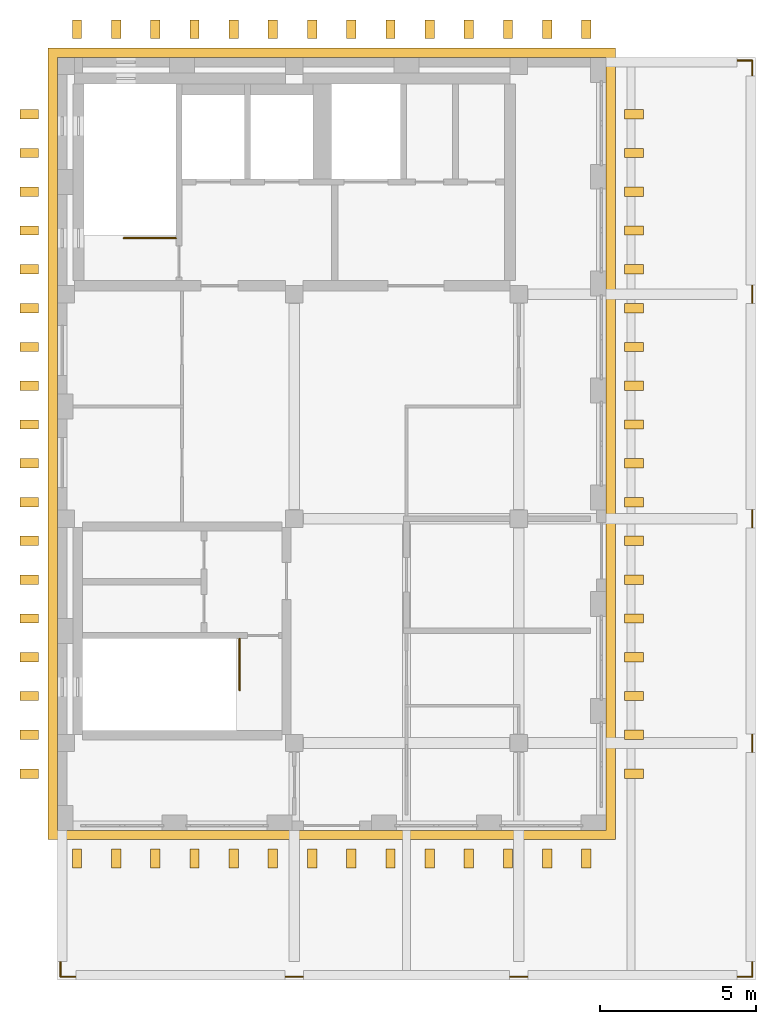
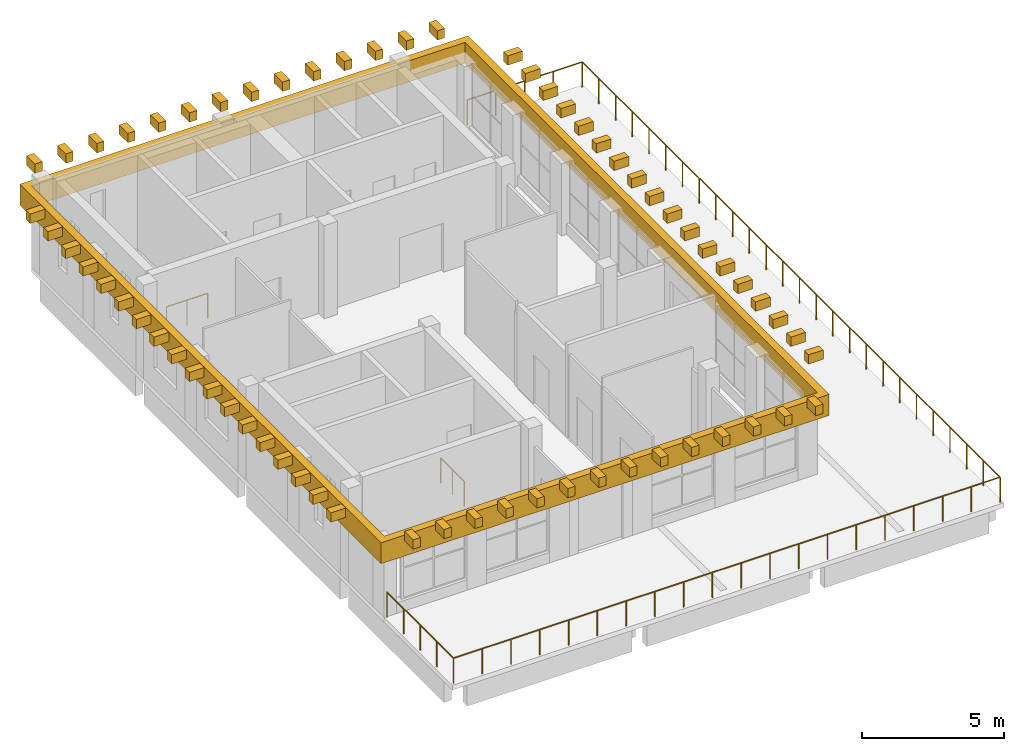
# One storey, part 6 of 6: 65 coverings, 3 railings.
"""IFC4 building model written with IfcOpenShell, lengths in metres."""

import ifcopenshell
import ifcopenshell.guid

model = None  # the IFC model being written
_history = None  # IfcOwnerHistory: only IFC2X3 demands one
_inside = {}  # id of a spatial element -> (the spatial element, [elements in it])
_under = {}  # id of a project, library or spatial element -> (it, [spatial elements below it])
_declared = {}  # id of a project -> (the project, [libraries it declares])
_typed = {}  # id of a type object -> (the type object, [elements of that type])
_made_of = {}  # id of a material, layer set ... -> (it, [elements and type objects made of it])


def new_model(schema):
    """Start an empty IFC model of exactly this schema.

    Asked for "IFC4X3", IfcOpenShell would pick the latest addendum, in which some entities
    have other attributes; the version numbers below select the first issue.
    IFC2X3 requires an IfcOwnerHistory on every rooted entity: one is made here for all.
    """
    global model, _history
    if schema == "IFC4X3":
        model = ifcopenshell.file(schema_version=(4, 3, 0, 0))
    else:
        model = ifcopenshell.file(schema=schema)
    _inside.clear()
    _under.clear()
    _declared.clear()
    _typed.clear()
    _made_of.clear()
    _history = None
    if model.schema == "IFC2X3":
        org = make("IfcOrganization", Name="unknown")
        user = make(
            "IfcPersonAndOrganization",
            ThePerson=make("IfcPerson", FamilyName="unknown"),
            TheOrganization=org,
        )
        app = make(
            "IfcApplication",
            ApplicationDeveloper=org,
            Version="unknown",
            ApplicationFullName="unknown",
            ApplicationIdentifier="unknown",
        )
        _history = make(
            "IfcOwnerHistory",
            OwningUser=user,
            OwningApplication=app,
            ChangeAction="ADDED",
            CreationDate=0,
        )
    return model


def make(cls, **values):
    """One entity of the class cls with the attributes given. An attribute that is None is left unset."""
    return model.create_entity(
        cls, **{name: value for name, value in values.items() if value is not None}
    )


def rooted(cls, **values):
    """An entity with a GlobalId (a new one), such as an element, a storey or a relation."""
    return make(cls, GlobalId=ifcopenshell.guid.new(), OwnerHistory=_history, **values)


def si_unit(unit_type, name, prefix=None):
    """IfcSIUnit, for example si_unit("LENGTHUNIT", "METRE", prefix="MILLI")."""
    return make("IfcSIUnit", UnitType=unit_type, Prefix=prefix, Name=name)


def assignment(units):
    """IfcUnitAssignment: the units of a project."""
    return None if units is None else make("IfcUnitAssignment", Units=units)


def point(xyz):
    """IfcCartesianPoint."""
    return None if xyz is None else make("IfcCartesianPoint", Coordinates=xyz)


def direction(xyz):
    """IfcDirection."""
    return None if xyz is None else make("IfcDirection", DirectionRatios=xyz)


def frame(location, z_axis=None, x_axis=None):
    """IfcAxis2Placement3D, a coordinate frame: its origin and axes. An axis left out is left unset."""
    return make(
        "IfcAxis2Placement3D",
        Location=point(location),
        Axis=direction(z_axis),
        RefDirection=direction(x_axis),
    )


def frame_2d(location, x_axis=None):
    """IfcAxis2Placement2D, a coordinate frame in the plane: its origin and x axis."""
    return make(
        "IfcAxis2Placement2D", Location=point(location), RefDirection=direction(x_axis)
    )


def origin():
    """The frame at (0, 0, 0) with its axes left unset."""
    return frame((0.0, 0.0, 0.0))


def origin_2d():
    """The frame at (0, 0) in the plane with its x axis left unset."""
    return frame_2d((0.0, 0.0))


def place(relative_to, where):
    """IfcLocalPlacement: puts the frame where relative to a parent placement (None: the world)."""
    return make(
        "IfcLocalPlacement", PlacementRelTo=relative_to, RelativePlacement=where
    )


def context(
    kind, dimensions, precision=None, world=None, true_north=None, identifier=None
):
    """IfcGeometricRepresentationContext, for example the 3D "Model" context."""
    return make(
        "IfcGeometricRepresentationContext",
        ContextIdentifier=identifier,
        ContextType=kind,
        CoordinateSpaceDimension=dimensions,
        Precision=precision,
        WorldCoordinateSystem=world,
        TrueNorth=true_north,
    )


def subcontext(parent, identifier, kind, view, scale=None):
    """IfcGeometricRepresentationSubContext, for example "Body" below "Model"."""
    return make(
        "IfcGeometricRepresentationSubContext",
        ContextIdentifier=identifier,
        ContextType=kind,
        ParentContext=parent,
        TargetScale=scale,
        TargetView=view,
    )


def project(units=None, contexts=None):
    """IfcProject with its units and contexts."""
    return rooted(
        "IfcProject",
        Name="project",
        RepresentationContexts=contexts,
        UnitsInContext=assignment(units),
    )


def spatial(cls, under=None, at=None, **own):
    """A site, building, storey or space (cls), placed at a placement, below another one or the project."""
    s = rooted(cls, ObjectPlacement=at, **own)
    if under is not None:
        _under.setdefault(under.id(), (under, []))[1].append(s)
    return s


def polyline(points):
    """IfcPolyline through the points."""
    return make("IfcPolyline", Points=[point(p) for p in points])


def profile(cls, at=None, kind="AREA", **sizes):
    """A parametric profile (cls). Its sizes go by their IFC names, for example OverallWidth=200.0."""
    return make(cls, ProfileType=kind, Position=at, **sizes)


def rectangle(**sizes):
    """IfcRectangleProfileDef."""
    return profile("IfcRectangleProfileDef", **sizes)


def circle(**sizes):
    """IfcCircleProfileDef."""
    return profile("IfcCircleProfileDef", **sizes)


def outline(outer, holes=None, kind="AREA"):
    """IfcArbitraryClosedProfileDef: a profile drawn as a closed curve; with holes, ...WithVoids."""
    if holes is None:
        return make("IfcArbitraryClosedProfileDef", ProfileType=kind, OuterCurve=outer)
    return make(
        "IfcArbitraryProfileDefWithVoids",
        ProfileType=kind,
        OuterCurve=outer,
        InnerCurves=holes,
    )


def extrude(swept, where, along, depth):
    """IfcExtrudedAreaSolid: the profile swept, set in the frame where, extruded along a direction by depth."""
    return make(
        "IfcExtrudedAreaSolid",
        SweptArea=swept,
        Position=where,
        ExtrudedDirection=direction(along),
        Depth=depth,
    )


def shape(context_of_items, identifier, shape_type, items):
    """IfcShapeRepresentation: the items that make up one representation, for example the "Body"."""
    return make(
        "IfcShapeRepresentation",
        ContextOfItems=context_of_items,
        RepresentationIdentifier=identifier,
        RepresentationType=shape_type,
        Items=items,
    )


def material(Name=None, Category=None):
    """IfcMaterial."""
    return make("IfcMaterial", Name=Name, Category=Category)


def made_of(thing, what):
    """Note that an element or type object is made of a material, layer set ...; save() writes the relation."""
    if what is not None:
        _made_of.setdefault(what.id(), (what, []))[1].append(thing)
    return thing


def type_object(cls, material=None, **own):
    """A type object (cls), such as IfcWallType, which elements share."""
    return made_of(rooted(cls, **own), material)


def element(
    cls,
    number,
    at=None,
    inside=None,
    cuts=None,
    type_object=None,
    material=None,
    context=None,
    identifier="Body",
    shape_type=None,
    held_by="IfcProductDefinitionShape",
    body=None,
    shapes=None,
    **own,
):
    """One element of the class cls, such as IfcWall. Its Tag is "e" and its number.

    at: its placement. inside: the storey or other place that contains it. cuts: it is an
    opening in that element (IfcRelVoidsElement). A single representation is given by context,
    identifier, shape_type and body (its items); several are given by shapes. held_by: the class
    of the entity that holds the representations. save() writes the other relations.
    """
    e = rooted(cls, Tag="e%d" % number, ObjectPlacement=at, **own)
    if body is not None:
        shapes = [shape(context, identifier, shape_type, body)]
    if shapes is not None:
        e.Representation = make(held_by, Representations=shapes)
    if inside is not None:
        _inside.setdefault(inside.id(), (inside, []))[1].append(e)
    if cuts is not None:
        rooted(
            "IfcRelVoidsElement", RelatingBuildingElement=cuts, RelatedOpeningElement=e
        )
    if type_object is not None:
        _typed.setdefault(type_object.id(), (type_object, []))[1].append(e)
    return made_of(e, material)


def aggregate(whole, parts):
    """IfcRelAggregates: a whole, such as a stair, and the parts it consists of."""
    return rooted("IfcRelAggregates", RelatingObject=whole, RelatedObjects=parts)


def save(model, path):
    """Write the relations noted so far, then the file.

    IfcRelAggregates (storeys below a building ...), IfcRelContainedInSpatialStructure (elements
    in a storey), IfcRelDefinesByType, IfcRelAssociatesMaterial and IfcRelDeclares: one each for
    every whole, place, type object, material and project.
    """
    for whole, parts in _under.values():
        aggregate(whole, parts)
    for where, things in _inside.values():
        rooted(
            "IfcRelContainedInSpatialStructure",
            RelatedElements=things,
            RelatingStructure=where,
        )
    for kind, things in _typed.values():
        rooted("IfcRelDefinesByType", RelatedObjects=things, RelatingType=kind)
    for what, things in _made_of.values():
        rooted("IfcRelAssociatesMaterial", RelatedObjects=things, RelatingMaterial=what)
    for by, libraries in _declared.values():
        rooted("IfcRelDeclares", RelatingContext=by, RelatedDefinitions=libraries)
    model.write(path)


model = new_model("IFC4")

# Units and contexts
model_context = context("Model", 3, precision=1e-05, world=origin(), true_north=direction((0.0, 1.0)))
body_context = subcontext(model_context, "Body", "Model", "MODEL_VIEW")
ifc_project = project(units=[si_unit("LENGTHUNIT", "METRE"), si_unit("AREAUNIT", "SQUARE_METRE"), si_unit("VOLUMEUNIT", "CUBIC_METRE"), si_unit("PLANEANGLEUNIT", "RADIAN"), si_unit("MASSUNIT", "GRAM", prefix="KILO")], contexts=[model_context])

# Site, building, storey
site_placement = place(None, origin())
site = spatial("IfcSite", under=ifc_project, at=site_placement, CompositionType="ELEMENT")
building_placement = place(site_placement, origin())
building = spatial("IfcBuilding", under=site, at=building_placement, Name="Ussher Court Research Institute", CompositionType="ELEMENT")
storey_placement = place(building_placement, frame((0.0, 0.0, 41.39990234375)))
storey = spatial("IfcBuildingStorey", under=building, at=storey_placement, Name="L09", CompositionType="ELEMENT", Elevation=41.39990234375)

# Coverings
ifc_material_1 = material(Name="Limestone cornice", Category="masonry")
covering_type_1 = type_object("IfcCoveringType", Name="Cornice bracket 300x600x500", PredefinedType="CLADDING", material=ifc_material_1)
for number, where, z_axis, x_axis, name in (
    (1, (100.300048828125, 10.22216796875, 3.500244140625), (0.0, 0.0, 1.0), (0.0, 1.0, 0.0), "Cornice bracket CC10"),
    (2, (100.300048828125, 11.466796875, 3.500244140625), (0.0, 0.0, 1.0), (0.0, 1.0, 0.0), "Cornice bracket CC10"),
    (3, (100.300048828125, 12.711181640625, 3.500244140625), (0.0, 0.0, 1.0), (0.0, 1.0, 0.0), "Cornice bracket CC10"),
    (4, (100.300048828125, 13.95556640625, 3.500244140625), (0.0, 0.0, 1.0), (0.0, 1.0, 0.0), "Cornice bracket CC10"),
    (5, (100.300048828125, 15.199951171875, 3.500244140625), (0.0, 0.0, 1.0), (0.0, 1.0, 0.0), "Cornice bracket CC10"),
    (6, (100.300048828125, 16.4443359375, 3.500244140625), (0.0, 0.0, 1.0), (0.0, 1.0, 0.0), "Cornice bracket CC10"),
    (7, (100.300048828125, 17.68896484375, 3.500244140625), (0.0, 0.0, 1.0), (0.0, 1.0, 0.0), "Cornice bracket CC10"),
    (8, (100.300048828125, 18.933349609375, 3.500244140625), (0.0, 0.0, 1.0), (0.0, 1.0, 0.0), "Cornice bracket CC10"),
    (9, (100.300048828125, 20.177734375, 3.500244140625), (0.0, 0.0, 1.0), (0.0, 1.0, 0.0), "Cornice bracket CC10"),
    (10, (100.300048828125, 21.422119140625, 3.500244140625), (0.0, 0.0, 1.0), (0.0, 1.0, 0.0), "Cornice bracket CC10"),
    (11, (100.300048828125, 22.666748046875, 3.500244140625), (0.0, 0.0, 1.0), (0.0, 1.0, 0.0), "Cornice bracket CC10"),
    (12, (100.300048828125, 23.9111328125, 3.500244140625), (0.0, 0.0, 1.0), (0.0, 1.0, 0.0), "Cornice bracket CC10"),
    (13, (100.300048828125, 25.155517578125, 3.500244140625), (0.0, 0.0, 1.0), (0.0, 1.0, 0.0), "Cornice bracket CC10"),
    (14, (100.300048828125, 26.39990234375, 3.500244140625), (0.0, 0.0, 1.0), (0.0, 1.0, 0.0), "Cornice bracket CC10"),
    (15, (100.300048828125, 27.644287109375, 3.500244140625), (0.0, 0.0, 1.0), (0.0, 1.0, 0.0), "Cornice bracket CC10"),
    (16, (100.300048828125, 28.888916015625, 3.500244140625), (0.0, 0.0, 1.0), (0.0, 1.0, 0.0), "Cornice bracket CC10"),
    (17, (100.300048828125, 30.13330078125, 3.500244140625), (0.0, 0.0, 1.0), (0.0, 1.0, 0.0), "Cornice bracket CC10"),
    (18, (100.300048828125, 31.377685546875, 3.500244140625), (0.0, 0.0, 1.0), (0.0, 1.0, 0.0), "Cornice bracket CC10"),
    (19, (80.89990234375, 31.377685546875, 3.500244140625), (0.0, 0.0, 1.0), (0.0, -1.0, 0.0), "Cornice bracket CC10"),
    (20, (80.89990234375, 30.13330078125, 3.500244140625), (0.0, 0.0, 1.0), (0.0, -1.0, 0.0), "Cornice bracket CC10"),
    (21, (80.89990234375, 28.888916015625, 3.500244140625), (0.0, 0.0, 1.0), (0.0, -1.0, 0.0), "Cornice bracket CC10"),
    (22, (80.89990234375, 27.644287109375, 3.500244140625), (0.0, 0.0, 1.0), (0.0, -1.0, 0.0), "Cornice bracket CC10"),
    (23, (80.89990234375, 26.39990234375, 3.500244140625), (0.0, 0.0, 1.0), (0.0, -1.0, 0.0), "Cornice bracket CC10"),
    (24, (80.89990234375, 25.155517578125, 3.500244140625), (0.0, 0.0, 1.0), (0.0, -1.0, 0.0), "Cornice bracket CC10"),
    (25, (80.89990234375, 23.9111328125, 3.500244140625), (0.0, 0.0, 1.0), (0.0, -1.0, 0.0), "Cornice bracket CC10"),
    (26, (80.89990234375, 22.666748046875, 3.500244140625), (0.0, 0.0, 1.0), (0.0, -1.0, 0.0), "Cornice bracket CC10"),
    (27, (80.89990234375, 21.422119140625, 3.500244140625), (0.0, 0.0, 1.0), (0.0, -1.0, 0.0), "Cornice bracket CC10"),
    (28, (80.89990234375, 20.177734375, 3.500244140625), (0.0, 0.0, 1.0), (0.0, -1.0, 0.0), "Cornice bracket CC10"),
    (29, (80.89990234375, 18.933349609375, 3.500244140625), (0.0, 0.0, 1.0), (0.0, -1.0, 0.0), "Cornice bracket CC10"),
    (30, (80.89990234375, 17.68896484375, 3.500244140625), (0.0, 0.0, 1.0), (0.0, -1.0, 0.0), "Cornice bracket CC10"),
    (31, (80.89990234375, 16.4443359375, 3.500244140625), (0.0, 0.0, 1.0), (0.0, -1.0, 0.0), "Cornice bracket CC10"),
    (32, (80.89990234375, 15.199951171875, 3.500244140625), (0.0, 0.0, 1.0), (0.0, -1.0, 0.0), "Cornice bracket CC10"),
    (33, (80.89990234375, 13.95556640625, 3.500244140625), (0.0, 0.0, 1.0), (0.0, -1.0, 0.0), "Cornice bracket CC10"),
    (34, (80.89990234375, 12.711181640625, 3.500244140625), (0.0, 0.0, 1.0), (0.0, -1.0, 0.0), "Cornice bracket CC10"),
    (35, (80.89990234375, 11.466796875, 3.500244140625), (0.0, 0.0, 1.0), (0.0, -1.0, 0.0), "Cornice bracket CC10"),
    (36, (80.89990234375, 10.22216796875, 3.500244140625), (0.0, 0.0, 1.0), (0.0, -1.0, 0.0), "Cornice bracket CC10"),
    (37, (98.771484375, 34.10009765625, 3.500244140625), (0.0, 0.0, 1.0), (-1.0, 0.0, 0.0), "Cornice bracket CC10"),
    (38, (97.514404296875, 34.10009765625, 3.500244140625), (0.0, 0.0, 1.0), (-1.0, 0.0, 0.0), "Cornice bracket CC10"),
    (39, (96.257080078125, 34.10009765625, 3.500244140625), (0.0, 0.0, 1.0), (-1.0, 0.0, 0.0), "Cornice bracket CC10"),
    (40, (95.0, 34.10009765625, 3.500244140625), (0.0, 0.0, 1.0), (-1.0, 0.0, 0.0), "Cornice bracket CC10"),
    (41, (93.742919921875, 34.10009765625, 3.500244140625), (0.0, 0.0, 1.0), (-1.0, 0.0, 0.0), "Cornice bracket CC10"),
    (42, (92.485595703125, 34.10009765625, 3.500244140625), (0.0, 0.0, 1.0), (-1.0, 0.0, 0.0), "Cornice bracket CC10"),
    (43, (91.228515625, 34.10009765625, 3.500244140625), (0.0, 0.0, 1.0), (-1.0, 0.0, 0.0), "Cornice bracket CC10"),
    (44, (89.971435546875, 34.10009765625, 3.500244140625), (0.0, 0.0, 1.0), (-1.0, 0.0, 0.0), "Cornice bracket CC10"),
    (45, (88.71435546875, 34.10009765625, 3.500244140625), (0.0, 0.0, 1.0), (-1.0, 0.0, 0.0), "Cornice bracket CC10"),
    (46, (87.45703125, 34.10009765625, 3.500244140625), (0.0, 0.0, 1.0), (-1.0, 0.0, 0.0), "Cornice bracket CC10"),
    (47, (86.199951171875, 34.10009765625, 3.500244140625), (0.0, 0.0, 1.0), (-1.0, 0.0, 0.0), "Cornice bracket CC10"),
    (48, (84.94287109375, 34.10009765625, 3.500244140625), (0.0, 0.0, 1.0), (-1.0, 0.0, 0.0), "Cornice bracket CC10"),
    (49, (83.685791015625, 34.10009765625, 3.500244140625), (0.0, 0.0, 1.0), (-1.0, 0.0, 0.0), "Cornice bracket CC10"),
    (50, (82.4287109375, 34.10009765625, 3.500244140625), (0.0, 0.0, 1.0), (-1.0, 0.0, 0.0), "Cornice bracket CC10"),
    (51, (82.4287109375, 7.5, 3.500244140625), (0.0, 0.0, 1.0), (1.0, 0.0, 0.0), "Cornice bracket CC10"),
    (52, (83.685791015625, 7.5, 3.500244140625), (0.0, 0.0, 1.0), (1.0, 0.0, 0.0), "Cornice bracket CC10"),
    (53, (84.94287109375, 7.5, 3.500244140625), (0.0, 0.0, 1.0), (1.0, 0.0, 0.0), "Cornice bracket CC10"),
    (54, (86.199951171875, 7.5, 3.500244140625), (0.0, 0.0, 1.0), (1.0, 0.0, 0.0), "Cornice bracket CC10"),
    (55, (87.45703125, 7.5, 3.500244140625), (0.0, 0.0, 1.0), (1.0, 0.0, 0.0), "Cornice bracket CC10"),
    (56, (88.71435546875, 7.5, 3.500244140625), (0.0, 0.0, 1.0), (1.0, 0.0, 0.0), "Cornice bracket CC10"),
    (57, (89.971435546875, 7.5, 3.500244140625), (0.0, 0.0, 1.0), (1.0, 0.0, 0.0), "Cornice bracket CC10"),
    (58, (91.228515625, 7.5, 3.500244140625), (0.0, 0.0, 1.0), (1.0, 0.0, 0.0), "Cornice bracket CC10"),
    (59, (92.485595703125, 7.5, 3.500244140625), (0.0, 0.0, 1.0), (1.0, 0.0, 0.0), "Cornice bracket CC10"),
    (60, (93.742919921875, 7.5, 3.500244140625), (0.0, 0.0, 1.0), (1.0, 0.0, 0.0), "Cornice bracket CC10"),
    (61, (95.0, 7.5, 3.500244140625), (0.0, 0.0, 1.0), (1.0, 0.0, 0.0), "Cornice bracket CC10"),
    (62, (96.257080078125, 7.5, 3.500244140625), (0.0, 0.0, 1.0), (1.0, 0.0, 0.0), "Cornice bracket CC10"),
    (63, (97.514404296875, 7.5, 3.500244140625), (0.0, 0.0, 1.0), (1.0, 0.0, 0.0), "Cornice bracket CC10"),
    (64, (98.771484375, 7.5, 3.500244140625), (0.0, 0.0, 1.0), (1.0, 0.0, 0.0), "Cornice bracket CC10"),
):
    element("IfcCovering", number, at=place(storey_placement, frame(where, z_axis=z_axis, x_axis=x_axis)), inside=storey, type_object=covering_type_1, Name=name, PredefinedType="CLADDING", context=body_context, shape_type="SweptSolid", body=[
        extrude(rectangle(XDim=0.300048828125, YDim=0.60009765625, at=origin_2d()), origin(), (0.0, 0.0, 1.0), 0.39990234375),
    ])
ifc_material_2 = material(Name="Limestone cornice", Category="masonry")
covering_type_2 = type_object("IfcCoveringType", Name="Entablature frieze 300x900", PredefinedType="CLADDING", material=ifc_material_2)
covering_placement = place(storey_placement, frame((0.0, 0.0, 2.60009765625)))
element("IfcCovering", 65, at=covering_placement, inside=storey, type_object=covering_type_2, Name="Entablature frieze CC5", PredefinedType="CLADDING", context=body_context, shape_type="SweptSolid", body=[
    extrude(outline(polyline([(81.5, 33.5), (81.5, 8.10009765625), (99.699951171875, 8.10009765625), (99.699951171875, 33.5), (81.5, 33.5)]), holes=[polyline([(81.800048828125, 33.199951171875), (99.39990234375, 33.199951171875), (99.39990234375, 8.39990234375), (81.800048828125, 8.39990234375), (81.800048828125, 33.199951171875)])]), origin(), (0.0, 0.0, 1.0), 0.89990234375),
])

# Railings
ifc_material_3 = material(Name="Painted steel balustrade", Category="steel")
railing_type_1 = type_object("IfcRailingType", Name="Stair guard 1100 steel balustrade", PredefinedType="GUARDRAIL", material=ifc_material_3)
railing_1_placement = place(storey_placement, frame((85.60009765625, 27.39990234375, 0.0)))
element("IfcRailing", 66, at=railing_1_placement, inside=storey, type_object=railing_type_1, Name="L09 T1 top well guard 1", PredefinedType="GUARDRAIL", context=body_context, shape_type="SweptSolid", body=[
    extrude(circle(Radius=0.02392578125, at=origin_2d()), frame((0.0, 0.0, 1.076171875), z_axis=(-1.0, 0.0, 0.0), x_axis=(0.0, -1.0, 0.0)), (0.0, 0.0, 1.0), 1.670166015625),
    extrude(circle(Radius=0.02099609375, at=origin_2d()), origin(), (0.0, 0.0, 1.0), 1.052001953125),
    extrude(circle(Radius=0.02099609375, at=origin_2d()), frame((-0.8349609375, 0.0, 0.0)), (0.0, 0.0, 1.0), 1.052001953125),
    extrude(circle(Radius=0.02099609375, at=origin_2d()), frame((-1.670166015625, 0.0, 0.0)), (0.0, 0.0, 1.0), 1.052001953125),
])
railing_2_placement = place(storey_placement, frame((87.64990234375, 14.550048828125, 0.0)))
element("IfcRailing", 67, at=railing_2_placement, inside=storey, type_object=railing_type_1, Name="L09 T2 top well guard 1", PredefinedType="GUARDRAIL", context=body_context, shape_type="SweptSolid", body=[
    extrude(circle(Radius=0.02392578125, at=origin_2d()), frame((0.0, 0.0, 1.076171875), z_axis=(0.0, -1.0, 0.0), x_axis=(1.0, 0.0, 0.0)), (0.0, 0.0, 1.0), 1.650146484375),
    extrude(circle(Radius=0.02099609375, at=origin_2d()), origin(), (0.0, 0.0, 1.0), 1.052001953125),
    extrude(circle(Radius=0.02099609375, at=origin_2d()), frame((0.0, -0.8251953125, 0.0)), (0.0, 0.0, 1.0), 1.052001953125),
    extrude(circle(Radius=0.02099609375, at=origin_2d()), frame((0.0, -1.650146484375, 0.0)), (0.0, 0.0, 1.0), 1.052001953125),
])
ifc_material_4 = material(Name="Bronze painted steel balustrade", Category="steel")
railing_type_2 = type_object("IfcRailingType", Name="Terrace guard 1100", PredefinedType="GUARDRAIL", material=ifc_material_4)
railing_3_placement = place(storey_placement, frame((99.425048828125, 33.10009765625, 0.0)))
element("IfcRailing", 68, at=railing_3_placement, inside=storey, type_object=railing_type_2, Name="Terrace guard GR1", PredefinedType="GUARDRAIL", context=body_context, shape_type="SweptSolid", body=[
    extrude(circle(Radius=0.02490234375, at=origin_2d()), frame((0.0, 0.0, 1.0751953125), z_axis=(1.0, 0.0, 0.0), x_axis=(0.0, 1.0, 0.0)), (0.0, 0.0, 1.0), 4.675048828125),
    extrude(circle(Radius=0.02490234375, at=origin_2d()), frame((4.675048828125, 0.0, 1.0751953125), z_axis=(0.0, -1.0, 0.0), x_axis=(1.0, 0.0, 0.0)), (0.0, 0.0, 1.0), 29.400146484375),
    extrude(circle(Radius=0.02490234375, at=origin_2d()), frame((4.675048828125, -29.400146484375, 1.0751953125), z_axis=(-1.0, 0.0, 0.0), x_axis=(0.0, -1.0, 0.0)), (0.0, 0.0, 1.0), 22.2001953125),
    extrude(circle(Radius=0.02490234375, at=origin_2d()), frame((-17.525146484375, -29.400146484375, 1.0751953125), z_axis=(0.0, 1.0, 0.0), x_axis=(-1.0, 0.0, 0.0)), (0.0, 0.0, 1.0), 4.675048828125),
    extrude(circle(Radius=0.02490234375, at=origin_2d()), origin(), (0.0, 0.0, 1.0), 1.050048828125),
    extrude(circle(Radius=0.02490234375, at=origin_2d()), frame((1.168701171875, 0.0, 0.0)), (0.0, 0.0, 1.0), 1.050048828125),
    extrude(circle(Radius=0.02490234375, at=origin_2d()), frame((2.33740234375, 0.0, 0.0)), (0.0, 0.0, 1.0), 1.050048828125),
    extrude(circle(Radius=0.02490234375, at=origin_2d()), frame((3.50634765625, 0.0, 0.0)), (0.0, 0.0, 1.0), 1.050048828125),
    extrude(circle(Radius=0.02490234375, at=origin_2d()), frame((4.675048828125, 0.0, 0.0)), (0.0, 0.0, 1.0), 1.050048828125),
    extrude(circle(Radius=0.02490234375, at=origin_2d()), frame((4.675048828125, -1.176025390625, 0.0)), (0.0, 0.0, 1.0), 1.050048828125),
    extrude(circle(Radius=0.02490234375, at=origin_2d()), frame((4.675048828125, -2.35205078125, 0.0)), (0.0, 0.0, 1.0), 1.050048828125),
    extrude(circle(Radius=0.02490234375, at=origin_2d()), frame((4.675048828125, -3.528076171875, 0.0)), (0.0, 0.0, 1.0), 1.050048828125),
    extrude(circle(Radius=0.02490234375, at=origin_2d()), frame((4.675048828125, -4.7041015625, 0.0)), (0.0, 0.0, 1.0), 1.050048828125),
    extrude(circle(Radius=0.02490234375, at=origin_2d()), frame((4.675048828125, -5.880126953125, 0.0)), (0.0, 0.0, 1.0), 1.050048828125),
    extrude(circle(Radius=0.02490234375, at=origin_2d()), frame((4.675048828125, -7.05615234375, 0.0)), (0.0, 0.0, 1.0), 1.050048828125),
    extrude(circle(Radius=0.02490234375, at=origin_2d()), frame((4.675048828125, -8.23193359375, 0.0)), (0.0, 0.0, 1.0), 1.050048828125),
    extrude(circle(Radius=0.02490234375, at=origin_2d()), frame((4.675048828125, -9.407958984375, 0.0)), (0.0, 0.0, 1.0), 1.050048828125),
    extrude(circle(Radius=0.02490234375, at=origin_2d()), frame((4.675048828125, -10.583984375, 0.0)), (0.0, 0.0, 1.0), 1.050048828125),
    extrude(circle(Radius=0.02490234375, at=origin_2d()), frame((4.675048828125, -11.760009765625, 0.0)), (0.0, 0.0, 1.0), 1.050048828125),
    extrude(circle(Radius=0.02490234375, at=origin_2d()), frame((4.675048828125, -12.93603515625, 0.0)), (0.0, 0.0, 1.0), 1.050048828125),
    extrude(circle(Radius=0.02490234375, at=origin_2d()), frame((4.675048828125, -14.112060546875, 0.0)), (0.0, 0.0, 1.0), 1.050048828125),
    extrude(circle(Radius=0.02490234375, at=origin_2d()), frame((4.675048828125, -15.2880859375, 0.0)), (0.0, 0.0, 1.0), 1.050048828125),
    extrude(circle(Radius=0.02490234375, at=origin_2d()), frame((4.675048828125, -16.464111328125, 0.0)), (0.0, 0.0, 1.0), 1.050048828125),
    extrude(circle(Radius=0.02490234375, at=origin_2d()), frame((4.675048828125, -17.64013671875, 0.0)), (0.0, 0.0, 1.0), 1.050048828125),
    extrude(circle(Radius=0.02490234375, at=origin_2d()), frame((4.675048828125, -18.816162109375, 0.0)), (0.0, 0.0, 1.0), 1.050048828125),
    extrude(circle(Radius=0.02490234375, at=origin_2d()), frame((4.675048828125, -19.9921875, 0.0)), (0.0, 0.0, 1.0), 1.050048828125),
    extrude(circle(Radius=0.02490234375, at=origin_2d()), frame((4.675048828125, -21.168212890625, 0.0)), (0.0, 0.0, 1.0), 1.050048828125),
    extrude(circle(Radius=0.02490234375, at=origin_2d()), frame((4.675048828125, -22.343994140625, 0.0)), (0.0, 0.0, 1.0), 1.050048828125),
    extrude(circle(Radius=0.02490234375, at=origin_2d()), frame((4.675048828125, -23.52001953125, 0.0)), (0.0, 0.0, 1.0), 1.050048828125),
    extrude(circle(Radius=0.02490234375, at=origin_2d()), frame((4.675048828125, -24.696044921875, 0.0)), (0.0, 0.0, 1.0), 1.050048828125),
    extrude(circle(Radius=0.02490234375, at=origin_2d()), frame((4.675048828125, -25.8720703125, 0.0)), (0.0, 0.0, 1.0), 1.050048828125),
    extrude(circle(Radius=0.02490234375, at=origin_2d()), frame((4.675048828125, -27.048095703125, 0.0)), (0.0, 0.0, 1.0), 1.050048828125),
    extrude(circle(Radius=0.02490234375, at=origin_2d()), frame((4.675048828125, -28.22412109375, 0.0)), (0.0, 0.0, 1.0), 1.050048828125),
    extrude(circle(Radius=0.02490234375, at=origin_2d()), frame((4.675048828125, -29.400146484375, 0.0)), (0.0, 0.0, 1.0), 1.050048828125),
    extrude(circle(Radius=0.02490234375, at=origin_2d()), frame((3.506591796875, -29.400146484375, 0.0)), (0.0, 0.0, 1.0), 1.050048828125),
    extrude(circle(Radius=0.02490234375, at=origin_2d()), frame((2.338134765625, -29.400146484375, 0.0)), (0.0, 0.0, 1.0), 1.050048828125),
    extrude(circle(Radius=0.02490234375, at=origin_2d()), frame((1.169677734375, -29.400146484375, 0.0)), (0.0, 0.0, 1.0), 1.050048828125),
    extrude(circle(Radius=0.02490234375, at=origin_2d()), frame((0.001220703125, -29.400146484375, 0.0)), (0.0, 0.0, 1.0), 1.050048828125),
    extrude(circle(Radius=0.02490234375, at=origin_2d()), frame((-1.1669921875, -29.400146484375, 0.0)), (0.0, 0.0, 1.0), 1.050048828125),
    extrude(circle(Radius=0.02490234375, at=origin_2d()), frame((-2.33544921875, -29.400146484375, 0.0)), (0.0, 0.0, 1.0), 1.050048828125),
    extrude(circle(Radius=0.02490234375, at=origin_2d()), frame((-3.50390625, -29.400146484375, 0.0)), (0.0, 0.0, 1.0), 1.050048828125),
    extrude(circle(Radius=0.02490234375, at=origin_2d()), frame((-4.67236328125, -29.400146484375, 0.0)), (0.0, 0.0, 1.0), 1.050048828125),
    extrude(circle(Radius=0.02490234375, at=origin_2d()), frame((-5.8408203125, -29.400146484375, 0.0)), (0.0, 0.0, 1.0), 1.050048828125),
    extrude(circle(Radius=0.02490234375, at=origin_2d()), frame((-7.00927734375, -29.400146484375, 0.0)), (0.0, 0.0, 1.0), 1.050048828125),
    extrude(circle(Radius=0.02490234375, at=origin_2d()), frame((-8.177734375, -29.400146484375, 0.0)), (0.0, 0.0, 1.0), 1.050048828125),
    extrude(circle(Radius=0.02490234375, at=origin_2d()), frame((-9.34619140625, -29.400146484375, 0.0)), (0.0, 0.0, 1.0), 1.050048828125),
    extrude(circle(Radius=0.02490234375, at=origin_2d()), frame((-10.5146484375, -29.400146484375, 0.0)), (0.0, 0.0, 1.0), 1.050048828125),
    extrude(circle(Radius=0.02490234375, at=origin_2d()), frame((-11.68310546875, -29.400146484375, 0.0)), (0.0, 0.0, 1.0), 1.050048828125),
    extrude(circle(Radius=0.02490234375, at=origin_2d()), frame((-12.851318359375, -29.400146484375, 0.0)), (0.0, 0.0, 1.0), 1.050048828125),
    extrude(circle(Radius=0.02490234375, at=origin_2d()), frame((-14.019775390625, -29.400146484375, 0.0)), (0.0, 0.0, 1.0), 1.050048828125),
    extrude(circle(Radius=0.02490234375, at=origin_2d()), frame((-15.188232421875, -29.400146484375, 0.0)), (0.0, 0.0, 1.0), 1.050048828125),
    extrude(circle(Radius=0.02490234375, at=origin_2d()), frame((-16.356689453125, -29.400146484375, 0.0)), (0.0, 0.0, 1.0), 1.050048828125),
    extrude(circle(Radius=0.02490234375, at=origin_2d()), frame((-17.525146484375, -29.400146484375, 0.0)), (0.0, 0.0, 1.0), 1.050048828125),
    extrude(circle(Radius=0.02490234375, at=origin_2d()), frame((-17.525146484375, -28.2314453125, 0.0)), (0.0, 0.0, 1.0), 1.050048828125),
    extrude(circle(Radius=0.02490234375, at=origin_2d()), frame((-17.525146484375, -27.0625, 0.0)), (0.0, 0.0, 1.0), 1.050048828125),
    extrude(circle(Radius=0.02490234375, at=origin_2d()), frame((-17.525146484375, -25.893798828125, 0.0)), (0.0, 0.0, 1.0), 1.050048828125),
    extrude(circle(Radius=0.02490234375, at=origin_2d()), frame((-17.525146484375, -24.72509765625, 0.0)), (0.0, 0.0, 1.0), 1.050048828125),
])

save(model, "model.ifc")
